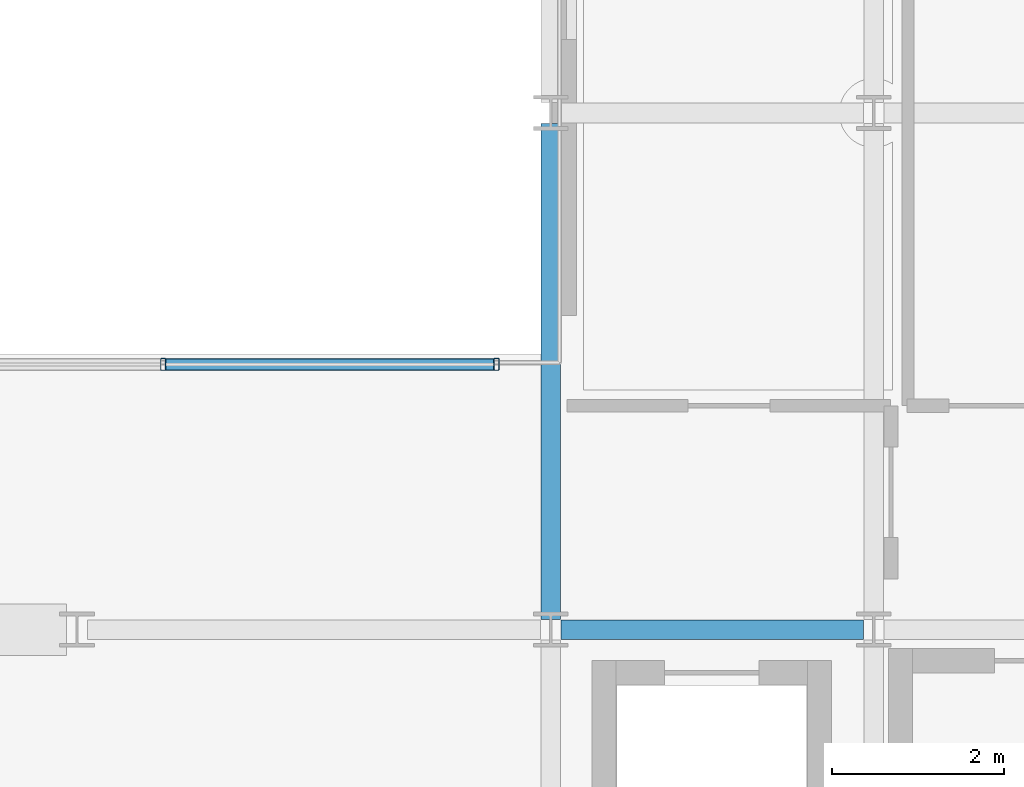
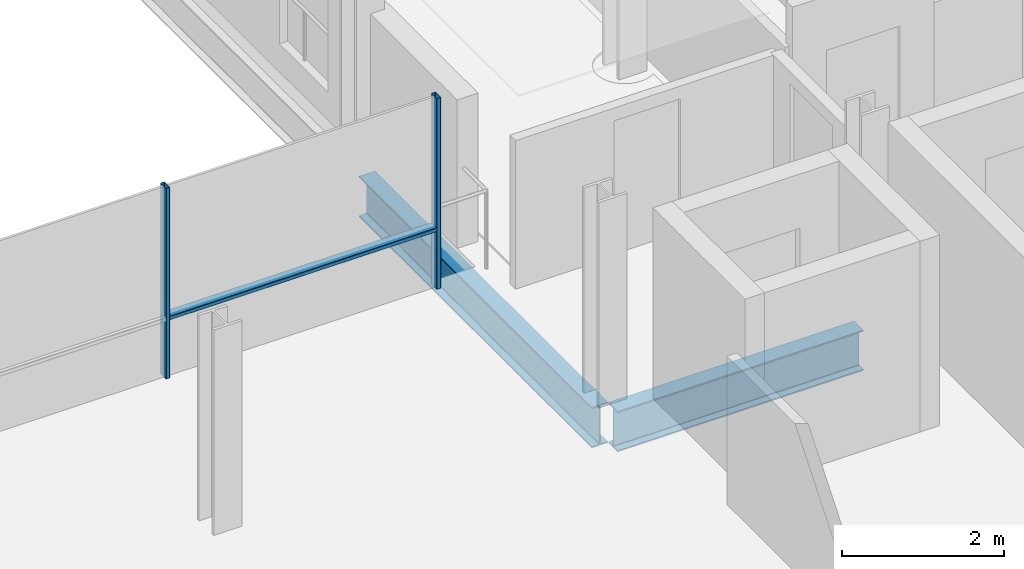
# One storey, part 15 of 41: 3 members, 2 beams, 1 element without a shape of its own.
"""IFC4 building model written with IfcOpenShell, lengths in metres."""

from ifc_helpers import new_model, si_unit, direction, frame, origin, origin_2d, place, context, subcontext, project, spatial, hollow_rectangle, i_section, extrude, material, layer, layer_set, material_profile, profile_set, type_object, element, aggregate, save


model = new_model("IFC4")

# Units and contexts
model_context = context("Model", 3, precision=1e-05, world=origin(), true_north=direction((0.0, 1.0)))
body_context = subcontext(model_context, "Body", "Model", "MODEL_VIEW")
ifc_project = project(units=[si_unit("LENGTHUNIT", "METRE"), si_unit("AREAUNIT", "SQUARE_METRE"), si_unit("VOLUMEUNIT", "CUBIC_METRE"), si_unit("PLANEANGLEUNIT", "RADIAN"), si_unit("MASSUNIT", "GRAM", prefix="KILO")], contexts=[model_context])

# Site, building, storey
site_placement = place(None, origin())
site = spatial("IfcSite", under=ifc_project, at=site_placement, CompositionType="ELEMENT")
building_placement = place(site_placement, origin())
building = spatial("IfcBuilding", under=site, at=building_placement, Name="Brevholm Reach", CompositionType="ELEMENT")
storey_placement = place(building_placement, frame((0.0, 0.0, 138.699951171875)))
storey = spatial("IfcBuildingStorey", under=building, at=storey_placement, Name="L41", CompositionType="ELEMENT", Elevation=138.699951171875)

# Beams
ifc_material_1 = material(Name="Structural Steel S355J2", Category="steel")
ifc_material_profile_1 = material_profile(ifc_material_1, i_section(OverallWidth=0.22900390625, OverallDepth=0.6123046875, WebThickness=0.011962890625, FlangeThickness=0.01953125, FilletRadius=0.0126953125, at=origin_2d()), Name="UKB 610x229x125")
ifc_profile_set_1 = profile_set([ifc_material_profile_1], Name="Structural Steel S355J2")
beam_type = type_object("IfcBeamType", Name="BM-SP610", PredefinedType="SPANDREL", material=ifc_profile_set_1)
beam_1_placement = place(storey_placement, frame((38.3701171875, 10.0, -0.526123046875), z_axis=(1.0, 0.0, 0.0), x_axis=(0.0, 1.0, 0.0)))
element("IfcBeam", 1, at=beam_1_placement, inside=storey, type_object=beam_type, Name="L41 SP-01 Framing Beam", PredefinedType="SPANDREL", context=body_context, shape_type="SweptSolid", body=[
    extrude(i_section(OverallWidth=0.22900390625, OverallDepth=0.6123046875, WebThickness=0.011962890625, FlangeThickness=0.01953125, FilletRadius=0.0126953125, at=origin_2d()), origin(), (0.0, 0.0, 1.0), 3.509765625),
])
beam_2_placement = place(storey_placement, frame((38.25, 10.1201171875, -0.526123046875), z_axis=(0.0, 1.0, 0.0), x_axis=(-1.0, 0.0, 0.0)))
element("IfcBeam", 2, at=beam_2_placement, inside=storey, type_object=beam_type, Name="L41 SP-01 Framing Beam", PredefinedType="SPANDREL", context=body_context, shape_type="SweptSolid", body=[
    extrude(i_section(OverallWidth=0.22900390625, OverallDepth=0.6123046875, WebThickness=0.011962890625, FlangeThickness=0.01953125, FilletRadius=0.0126953125, at=origin_2d()), origin(), (0.0, 0.0, 1.0), 5.759765625),
])

# Curtain wall, members
ifc_material_2 = material(Name="Dark Anodised Aluminium 6063-T6 and Solar-Control Glass", Category="aluminium")
ifc_layer = layer(ifc_material_2, 0.139892578125)
ifc_layer_set = layer_set([ifc_layer], Name="Dark Anodised Aluminium 6063-T6 and Solar-Control Glass")
curtain_wall_type = type_object("IfcCurtainWallType", Name="CW-02", PredefinedType="NOTDEFINED", material=ifc_layer_set)
curtain_wall_placement = place(storey_placement, origin())
curtain_wall = element("IfcCurtainWall", 3, at=curtain_wall_placement, inside=storey, type_object=curtain_wall_type, Name="L41 Curtain Wall CW-02", PredefinedType="NOTDEFINED")
ifc_material_3 = material(Name="Dark Anodised Aluminium 6063-T6", Category="aluminium")
ifc_material_profile_2 = material_profile(ifc_material_3, hollow_rectangle(XDim=0.06005859375, YDim=0.139892578125, WallThickness=0.0048828125, InnerFilletRadius=0.0048828125, OuterFilletRadius=0.010009765625, at=origin_2d()), Name="RHS 140x60x5")
ifc_profile_set_2 = profile_set([ifc_material_profile_2], Name="Dark Anodised Aluminium 6063-T6")
member_type_1 = type_object("IfcMemberType", Name="CWM-140", PredefinedType="MULLION", material=ifc_profile_set_2)
member_1_placement = place(storey_placement, frame((33.75, 13.080078125, 0.0), z_axis=(0.0, 0.0, 1.0), x_axis=(1.0, 0.0, 0.0)))
member_1 = element("IfcMember", 4, at=member_1_placement, type_object=member_type_1, Name="CM-140 Mullion 4", PredefinedType="MULLION", context=body_context, shape_type="SweptSolid", body=[
    extrude(hollow_rectangle(XDim=0.06005859375, YDim=0.139892578125, WallThickness=0.0048828125, InnerFilletRadius=0.0048828125, OuterFilletRadius=0.010009765625, at=origin_2d()), origin(), (0.0, 0.0, 1.0), 2.880126953125),
])
member_2_placement = place(storey_placement, frame((37.6201171875, 13.080078125, 0.0), z_axis=(0.0, 0.0, 1.0), x_axis=(1.0, 0.0, 0.0)))
member_2 = element("IfcMember", 5, at=member_2_placement, type_object=member_type_1, Name="CM-140 Mullion 5", PredefinedType="MULLION", context=body_context, shape_type="SweptSolid", body=[
    extrude(hollow_rectangle(XDim=0.06005859375, YDim=0.139892578125, WallThickness=0.0048828125, InnerFilletRadius=0.0048828125, OuterFilletRadius=0.010009765625, at=origin_2d()), origin(), (0.0, 0.0, 1.0), 2.880126953125),
])
ifc_material_4 = material(Name="Dark Anodised Aluminium 6063-T6", Category="aluminium")
ifc_material_profile_3 = material_profile(ifc_material_4, hollow_rectangle(XDim=0.06005859375, YDim=0.139892578125, WallThickness=0.0048828125, InnerFilletRadius=0.0048828125, OuterFilletRadius=0.010009765625, at=origin_2d()), Name="RHS 140x60x5")
ifc_profile_set_3 = profile_set([ifc_material_profile_3], Name="Dark Anodised Aluminium 6063-T6")
member_type_2 = type_object("IfcMemberType", Name="CWT-140", PredefinedType="NOTDEFINED", material=ifc_profile_set_3)
member_3_placement = place(storey_placement, frame((33.780029296875, 13.080078125, 0.900146484375), z_axis=(1.0, 0.0, 0.0), x_axis=(0.0, 0.0, 1.0)))
member_3 = element("IfcMember", 6, at=member_3_placement, type_object=member_type_2, Name="CT-140 Transom 4.1", ObjectType="TRANSOM", PredefinedType="USERDEFINED", context=body_context, shape_type="SweptSolid", body=[
    extrude(hollow_rectangle(XDim=0.06005859375, YDim=0.139892578125, WallThickness=0.0048828125, InnerFilletRadius=0.0048828125, OuterFilletRadius=0.010009765625, at=origin_2d()), origin(), (0.0, 0.0, 1.0), 3.81005859375),
])
aggregate(curtain_wall, [member_1, member_2, member_3])

save(model, "model.ifc")
